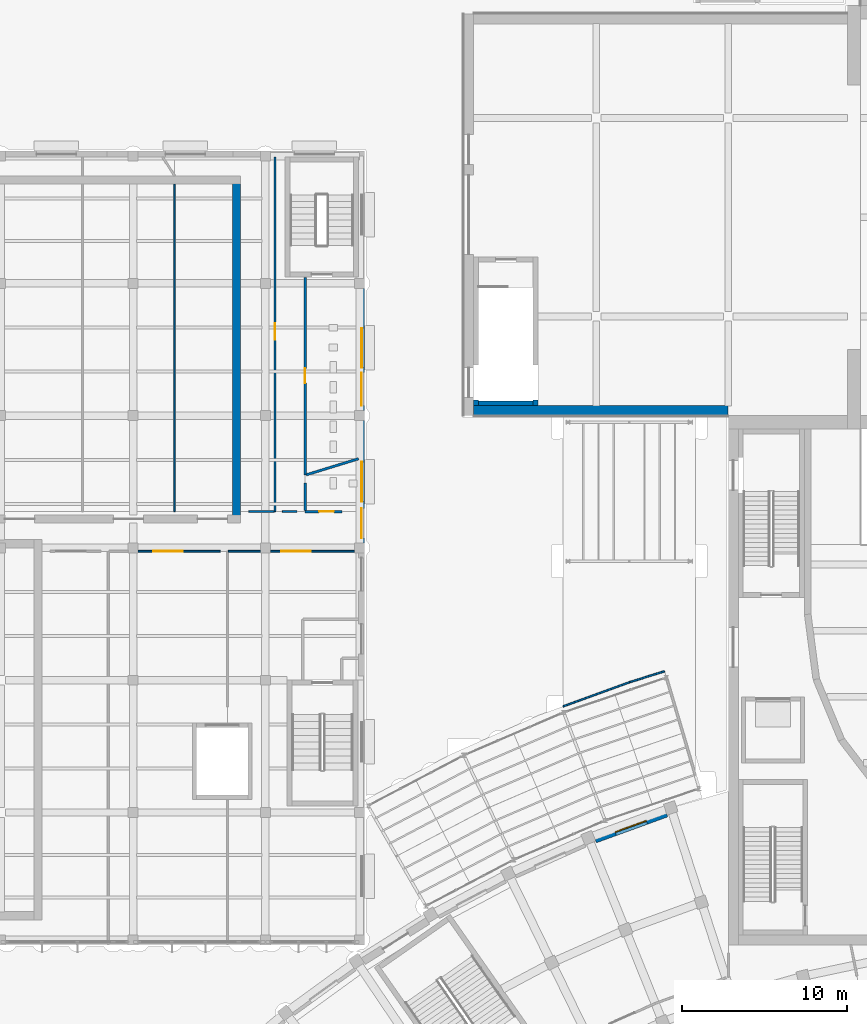
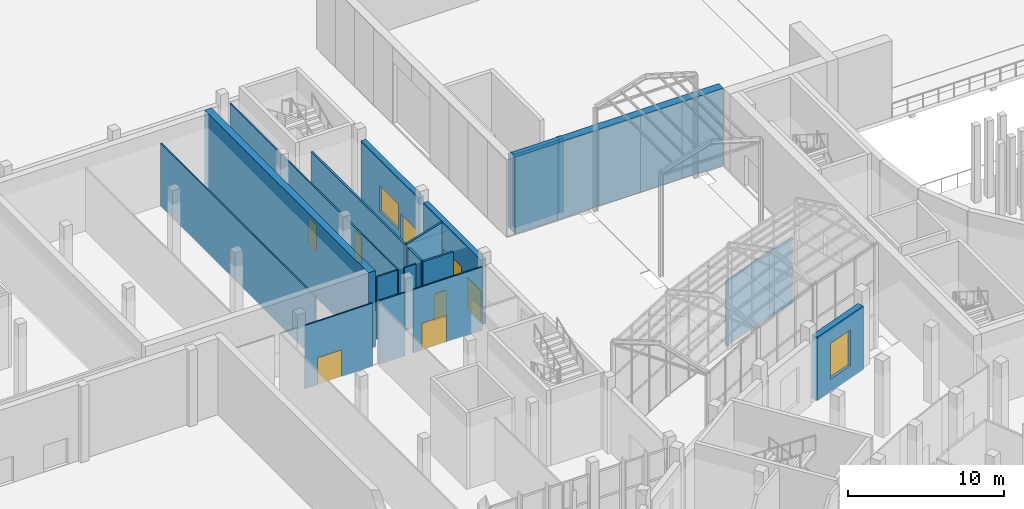
# One storey, part 95 of 155: 21 walls, 7 doors, 3 windows, 10 openings.
"""IFC4 building model written with IfcOpenShell, lengths in metres."""

import ifcopenshell
import ifcopenshell.guid

model = None  # the IFC model being written
_history = None  # IfcOwnerHistory: only IFC2X3 demands one
_inside = {}  # id of a spatial element -> (the spatial element, [elements in it])
_under = {}  # id of a project, library or spatial element -> (it, [spatial elements below it])
_declared = {}  # id of a project -> (the project, [libraries it declares])
_typed = {}  # id of a type object -> (the type object, [elements of that type])
_made_of = {}  # id of a material, layer set ... -> (it, [elements and type objects made of it])


def new_model(schema):
    """Start an empty IFC model of exactly this schema.

    Asked for "IFC4X3", IfcOpenShell would pick the latest addendum, in which some entities
    have other attributes; the version numbers below select the first issue.
    IFC2X3 requires an IfcOwnerHistory on every rooted entity: one is made here for all.
    """
    global model, _history
    if schema == "IFC4X3":
        model = ifcopenshell.file(schema_version=(4, 3, 0, 0))
    else:
        model = ifcopenshell.file(schema=schema)
    _inside.clear()
    _under.clear()
    _declared.clear()
    _typed.clear()
    _made_of.clear()
    _history = None
    if model.schema == "IFC2X3":
        org = make("IfcOrganization", Name="unknown")
        user = make(
            "IfcPersonAndOrganization",
            ThePerson=make("IfcPerson", FamilyName="unknown"),
            TheOrganization=org,
        )
        app = make(
            "IfcApplication",
            ApplicationDeveloper=org,
            Version="unknown",
            ApplicationFullName="unknown",
            ApplicationIdentifier="unknown",
        )
        _history = make(
            "IfcOwnerHistory",
            OwningUser=user,
            OwningApplication=app,
            ChangeAction="ADDED",
            CreationDate=0,
        )
    return model


def make(cls, **values):
    """One entity of the class cls with the attributes given. An attribute that is None is left unset."""
    return model.create_entity(
        cls, **{name: value for name, value in values.items() if value is not None}
    )


def rooted(cls, **values):
    """An entity with a GlobalId (a new one), such as an element, a storey or a relation."""
    return make(cls, GlobalId=ifcopenshell.guid.new(), OwnerHistory=_history, **values)


def si_unit(unit_type, name, prefix=None):
    """IfcSIUnit, for example si_unit("LENGTHUNIT", "METRE", prefix="MILLI")."""
    return make("IfcSIUnit", UnitType=unit_type, Prefix=prefix, Name=name)


def assignment(units):
    """IfcUnitAssignment: the units of a project."""
    return None if units is None else make("IfcUnitAssignment", Units=units)


def point(xyz):
    """IfcCartesianPoint."""
    return None if xyz is None else make("IfcCartesianPoint", Coordinates=xyz)


def direction(xyz):
    """IfcDirection."""
    return None if xyz is None else make("IfcDirection", DirectionRatios=xyz)


def frame(location, z_axis=None, x_axis=None):
    """IfcAxis2Placement3D, a coordinate frame: its origin and axes. An axis left out is left unset."""
    return make(
        "IfcAxis2Placement3D",
        Location=point(location),
        Axis=direction(z_axis),
        RefDirection=direction(x_axis),
    )


def frame_2d(location, x_axis=None):
    """IfcAxis2Placement2D, a coordinate frame in the plane: its origin and x axis."""
    return make(
        "IfcAxis2Placement2D", Location=point(location), RefDirection=direction(x_axis)
    )


def origin():
    """The frame at (0, 0, 0) with its axes left unset."""
    return frame((0.0, 0.0, 0.0))


def place(relative_to, where):
    """IfcLocalPlacement: puts the frame where relative to a parent placement (None: the world)."""
    return make(
        "IfcLocalPlacement", PlacementRelTo=relative_to, RelativePlacement=where
    )


def context(
    kind, dimensions, precision=None, world=None, true_north=None, identifier=None
):
    """IfcGeometricRepresentationContext, for example the 3D "Model" context."""
    return make(
        "IfcGeometricRepresentationContext",
        ContextIdentifier=identifier,
        ContextType=kind,
        CoordinateSpaceDimension=dimensions,
        Precision=precision,
        WorldCoordinateSystem=world,
        TrueNorth=true_north,
    )


def subcontext(parent, identifier, kind, view, scale=None):
    """IfcGeometricRepresentationSubContext, for example "Body" below "Model"."""
    return make(
        "IfcGeometricRepresentationSubContext",
        ContextIdentifier=identifier,
        ContextType=kind,
        ParentContext=parent,
        TargetScale=scale,
        TargetView=view,
    )


def project(units=None, contexts=None):
    """IfcProject with its units and contexts."""
    return rooted(
        "IfcProject",
        Name="project",
        RepresentationContexts=contexts,
        UnitsInContext=assignment(units),
    )


def spatial(cls, under=None, at=None, **own):
    """A site, building, storey or space (cls), placed at a placement, below another one or the project."""
    s = rooted(cls, ObjectPlacement=at, **own)
    if under is not None:
        _under.setdefault(under.id(), (under, []))[1].append(s)
    return s


def profile(cls, at=None, kind="AREA", **sizes):
    """A parametric profile (cls). Its sizes go by their IFC names, for example OverallWidth=200.0."""
    return make(cls, ProfileType=kind, Position=at, **sizes)


def rectangle(**sizes):
    """IfcRectangleProfileDef."""
    return profile("IfcRectangleProfileDef", **sizes)


def extrude(swept, where, along, depth):
    """IfcExtrudedAreaSolid: the profile swept, set in the frame where, extruded along a direction by depth."""
    return make(
        "IfcExtrudedAreaSolid",
        SweptArea=swept,
        Position=where,
        ExtrudedDirection=direction(along),
        Depth=depth,
    )


def shape(context_of_items, identifier, shape_type, items):
    """IfcShapeRepresentation: the items that make up one representation, for example the "Body"."""
    return make(
        "IfcShapeRepresentation",
        ContextOfItems=context_of_items,
        RepresentationIdentifier=identifier,
        RepresentationType=shape_type,
        Items=items,
    )


def material(Name=None, Category=None):
    """IfcMaterial."""
    return make("IfcMaterial", Name=Name, Category=Category)


def layer(
    of_material, thickness, ventilated=None, Name=None, Category=None, Priority=None
):
    """IfcMaterialLayer: one layer of a wall or slab, of a material (None: an air gap)."""
    return make(
        "IfcMaterialLayer",
        Material=of_material,
        LayerThickness=thickness,
        IsVentilated=ventilated,
        Name=Name,
        Category=Category,
        Priority=Priority,
    )


def layer_set(layers, Name=None):
    """IfcMaterialLayerSet."""
    return make("IfcMaterialLayerSet", MaterialLayers=layers, LayerSetName=Name)


def made_of(thing, what):
    """Note that an element or type object is made of a material, layer set ...; save() writes the relation."""
    if what is not None:
        _made_of.setdefault(what.id(), (what, []))[1].append(thing)
    return thing


def type_object(cls, material=None, **own):
    """A type object (cls), such as IfcWallType, which elements share."""
    return made_of(rooted(cls, **own), material)


def element(
    cls,
    number,
    at=None,
    inside=None,
    cuts=None,
    type_object=None,
    material=None,
    context=None,
    identifier="Body",
    shape_type=None,
    held_by="IfcProductDefinitionShape",
    body=None,
    shapes=None,
    **own,
):
    """One element of the class cls, such as IfcWall. Its Tag is "e" and its number.

    at: its placement. inside: the storey or other place that contains it. cuts: it is an
    opening in that element (IfcRelVoidsElement). A single representation is given by context,
    identifier, shape_type and body (its items); several are given by shapes. held_by: the class
    of the entity that holds the representations. save() writes the other relations.
    """
    e = rooted(cls, Tag="e%d" % number, ObjectPlacement=at, **own)
    if body is not None:
        shapes = [shape(context, identifier, shape_type, body)]
    if shapes is not None:
        e.Representation = make(held_by, Representations=shapes)
    if inside is not None:
        _inside.setdefault(inside.id(), (inside, []))[1].append(e)
    if cuts is not None:
        rooted(
            "IfcRelVoidsElement", RelatingBuildingElement=cuts, RelatedOpeningElement=e
        )
    if type_object is not None:
        _typed.setdefault(type_object.id(), (type_object, []))[1].append(e)
    return made_of(e, material)


def fill(opening, filler):
    """IfcRelFillsElement: the door or window that sits in an opening."""
    return rooted(
        "IfcRelFillsElement",
        RelatingOpeningElement=opening,
        RelatedBuildingElement=filler,
    )


def aggregate(whole, parts):
    """IfcRelAggregates: a whole, such as a stair, and the parts it consists of."""
    return rooted("IfcRelAggregates", RelatingObject=whole, RelatedObjects=parts)


def save(model, path):
    """Write the relations noted so far, then the file.

    IfcRelAggregates (storeys below a building ...), IfcRelContainedInSpatialStructure (elements
    in a storey), IfcRelDefinesByType, IfcRelAssociatesMaterial and IfcRelDeclares: one each for
    every whole, place, type object, material and project.
    """
    for whole, parts in _under.values():
        aggregate(whole, parts)
    for where, things in _inside.values():
        rooted(
            "IfcRelContainedInSpatialStructure",
            RelatedElements=things,
            RelatingStructure=where,
        )
    for kind, things in _typed.values():
        rooted("IfcRelDefinesByType", RelatedObjects=things, RelatingType=kind)
    for what, things in _made_of.values():
        rooted("IfcRelAssociatesMaterial", RelatedObjects=things, RelatingMaterial=what)
    for by, libraries in _declared.values():
        rooted("IfcRelDeclares", RelatingContext=by, RelatedDefinitions=libraries)
    model.write(path)


model = new_model("IFC4")

# Units and contexts
model_context = context("Model", 3, precision=1e-05, world=origin(), true_north=direction((0.0, 1.0)))
body_context = subcontext(model_context, "Body", "Model", "MODEL_VIEW")
ifc_project = project(units=[si_unit("LENGTHUNIT", "METRE"), si_unit("AREAUNIT", "SQUARE_METRE"), si_unit("VOLUMEUNIT", "CUBIC_METRE"), si_unit("PLANEANGLEUNIT", "RADIAN"), si_unit("MASSUNIT", "GRAM", prefix="KILO")], contexts=[model_context])

# Site, building, storey
site_placement = place(None, origin())
site = spatial("IfcSite", under=ifc_project, at=site_placement, CompositionType="ELEMENT")
building_placement = place(site_placement, origin())
building = spatial("IfcBuilding", under=site, at=building_placement, Name="Lunette Opera House", CompositionType="ELEMENT")
storey_placement = place(building_placement, origin())
storey = spatial("IfcBuildingStorey", under=building, at=storey_placement, Name="L00", CompositionType="ELEMENT", Elevation=0.0)

# Wall, opening, window
ifc_material_1 = material(Name="Clinker brick", Category="masonry")
ifc_layer_1 = layer(ifc_material_1, 0.449951171875)
ifc_layer_set_1 = layer_set([ifc_layer_1], Name="Clinker brick")
wall_type_1 = type_object("IfcWallType", Name="ARM RAIN SCREEN WALL 450", PredefinedType="SOLIDWALL", material=ifc_layer_set_1)
wall_1_placement = place(storey_placement, frame((67.943115234375, 70.376953125, 0.0), z_axis=(0.0, 0.0, 1.0), x_axis=(0.939711059344, 0.341969479554, 0.0)))
wall_1 = element("IfcWall", 1, at=wall_1_placement, inside=storey, type_object=wall_type_1, Name="Arm Rain Screen Wall 450 BW-CW08 L00", PredefinedType="SOLIDWALL", context=body_context, shape_type="SweptSolid", body=[
    extrude(rectangle(XDim=4.58837890625, YDim=0.449951171875, at=frame_2d((2.294189453125, 0.0))), origin(), (0.0, 0.0, 1.0), 4.97998046875),
])
opening_1_placement = place(wall_1_placement, frame((1.2939453125, 0.0, 1.0)))
opening_1 = element("IfcOpeningElement", 2, at=opening_1_placement, cuts=wall_1, Name="Opening FC-N2139", PredefinedType="OPENING", context=body_context, shape_type="SweptSolid", body=[
    extrude(rectangle(XDim=2.0, YDim=2.800048828125, at=frame_2d((1.0, 1.39990234375))), frame((0.0, 0.237060546875, 0.0), z_axis=(0.0, -1.0, 0.0), x_axis=(1.0, 0.0, 0.0)), (0.0, 0.0, 1.0), 0.473876953125),
])
ifc_material_2 = material(Name="Aluminium", Category="aluminium")
window_type_1 = type_object("IfcWindowType", Name="ARM WINDOW 2000 X 2800", PartitioningType="DOUBLE_PANEL_VERTICAL", PredefinedType="WINDOW", material=ifc_material_2)
window_1_placement = place(opening_1_placement, origin())
window_1 = element("IfcWindow", 3, at=window_1_placement, inside=storey, type_object=window_type_1, Name="Arm Window 2000 X 2800 BW-CW08 L00", OverallHeight=2.800048828125, OverallWidth=2.0, PartitioningType="DOUBLE_PANEL_VERTICAL", PredefinedType="WINDOW", context=body_context, shape_type="SweptSolid", body=[
    extrude(rectangle(XDim=2.0, YDim=2.800048828125, at=frame_2d((1.0, 1.39990234375))), frame((0.0, 0.030029296875, 0.0), z_axis=(0.0, -1.0, 0.0), x_axis=(1.0, 0.0, 0.0)), (0.0, 0.0, 1.0), 0.06005859375),
])
fill(opening_1, window_1)

# Wall, opening, door
ifc_material_3 = material(Name="Plastered clay blockwork", Category="masonry")
ifc_layer_2 = layer(ifc_material_3, 0.14990234375)
ifc_layer_set_2 = layer_set([ifc_layer_2], Name="Plastered clay blockwork")
wall_type_2 = type_object("IfcWallType", Name="BLOCK PARTITION 150", PredefinedType="PARTITIONING", material=ifc_layer_set_2)
wall_2_placement = place(storey_placement, frame((50.39892578125, 92.422119140625, 0.0), z_axis=(0.0, 0.0, 1.0), x_axis=(0.0, 1.0, 0.0)))
wall_2 = element("IfcWall", 4, at=wall_2_placement, inside=storey, type_object=wall_type_2, Name="Partition Stage Door Lodge", PredefinedType="PARTITIONING", context=body_context, shape_type="SweptSolid", body=[
    extrude(rectangle(XDim=11.927978515625, YDim=0.14990234375, at=frame_2d((5.9638671875, 0.0))), origin(), (0.0, 0.0, 1.0), 4.949951171875),
])
opening_2_placement = place(wall_2_placement, frame((5.5390625, 0.0, 0.0)))
opening_2 = element("IfcOpeningElement", 5, at=opening_2_placement, cuts=wall_2, Name="Opening RW-D3018", PredefinedType="OPENING", context=body_context, shape_type="SweptSolid", body=[
    extrude(rectangle(XDim=0.89990234375, YDim=2.10009765625, at=frame_2d((0.449951171875, 1.050048828125))), frame((0.0, 0.0869140625, 0.0), z_axis=(0.0, -1.0, 0.0), x_axis=(1.0, 0.0, 0.0)), (0.0, 0.0, 1.0), 0.173828125),
])
ifc_material_4 = material(Name="Timber", Category="wood")
door_type_1 = type_object("IfcDoorType", Name="FLUSH DOOR 900 X 2100", OperationType="SINGLE_SWING_LEFT", PredefinedType="DOOR", material=ifc_material_4)
door_1_placement = place(opening_2_placement, origin())
door_1 = element("IfcDoor", 6, at=door_1_placement, inside=storey, type_object=door_type_1, Name="Rehearsal Wing WC door", OperationType="SINGLE_SWING_RIGHT", OverallHeight=2.10009765625, OverallWidth=0.89990234375, PredefinedType="DOOR", context=body_context, shape_type="SweptSolid", body=[
    extrude(rectangle(XDim=0.89990234375, YDim=2.10009765625, at=frame_2d((0.449951171875, 1.050048828125))), frame((0.0, 0.02490234375, 0.0), z_axis=(0.0, -1.0, 0.0), x_axis=(1.0, 0.0, 0.0)), (0.0, 0.0, 1.0), 0.050048828125),
])
fill(opening_2, door_1)

wall_3_placement = place(storey_placement, frame((50.39892578125, 90.199951171875, 0.0), z_axis=(0.0, 0.0, 1.0), x_axis=(1.0, 0.0, 0.0)))
wall_3 = element("IfcWall", 7, at=wall_3_placement, inside=storey, type_object=wall_type_2, Name="Partition Accessible WC Rehearsal", PredefinedType="PARTITIONING", context=body_context, shape_type="SweptSolid", body=[
    extrude(rectangle(XDim=2.236083984375, YDim=0.14990234375, at=frame_2d((1.1181640625, 0.0))), origin(), (0.0, 0.0, 1.0), 4.949951171875),
])
opening_3_placement = place(wall_3_placement, frame((0.85009765625, 0.0, 0.0)))
opening_3 = element("IfcOpeningElement", 8, at=opening_3_placement, cuts=wall_3, Name="Opening RW-D3019", PredefinedType="OPENING", context=body_context, shape_type="SweptSolid", body=[
    extrude(rectangle(XDim=0.89990234375, YDim=2.10009765625, at=frame_2d((0.449951171875, 1.050048828125))), frame((0.0, 0.0869140625, 0.0), z_axis=(0.0, -1.0, 0.0), x_axis=(1.0, 0.0, 0.0)), (0.0, 0.0, 1.0), 0.173828125),
])
door_2_placement = place(opening_3_placement, origin())
door_2 = element("IfcDoor", 9, at=door_2_placement, inside=storey, type_object=door_type_1, Name="Accessible WC Rehearsal door", OperationType="SINGLE_SWING_RIGHT", OverallHeight=2.10009765625, OverallWidth=0.89990234375, PredefinedType="DOOR", context=body_context, shape_type="SweptSolid", body=[
    extrude(rectangle(XDim=0.89990234375, YDim=2.10009765625, at=frame_2d((0.449951171875, 1.050048828125))), frame((0.0, 0.02490234375, 0.0), z_axis=(0.0, -1.0, 0.0), x_axis=(1.0, 0.0, 0.0)), (0.0, 0.0, 1.0), 0.050048828125),
])
fill(opening_3, door_2)

# Walls
wall_4_placement = place(storey_placement, frame((50.47509765625, 92.422119140625, 0.0), z_axis=(0.0, 0.0, 1.0), x_axis=(0.955726306708, 0.294257075812, 0.0)))
element("IfcWall", 10, at=wall_4_placement, inside=storey, type_object=wall_type_2, Name="Partition Rehearsal Wing WC", PredefinedType="PARTITIONING", context=body_context, shape_type="SweptSolid", body=[
    extrude(rectangle(XDim=3.306396484375, YDim=0.14990234375, at=frame_2d((1.6533203125, 0.0))), origin(), (0.0, 0.0, 1.0), 4.949951171875),
])
wall_5_placement = place(storey_placement, frame((50.39892578125, 90.27587890625, 0.0), z_axis=(0.0, 0.0, 1.0), x_axis=(0.0, 1.0, 0.0)))
element("IfcWall", 11, at=wall_5_placement, inside=storey, type_object=wall_type_2, Name="Partition Stage Door Lodge", PredefinedType="PARTITIONING", context=body_context, shape_type="SweptSolid", body=[
    extrude(rectangle(XDim=1.646240234375, YDim=0.14990234375, at=frame_2d((0.8232421875, 0.0))), origin(), (0.0, 0.0, 1.0), 4.949951171875),
])
ifc_material_5 = material(Name="Concrete C35/45", Category="concrete")
ifc_layer_3 = layer(ifc_material_5, 0.300048828125)
ifc_layer_set_3 = layer_set([ifc_layer_3], Name="Concrete C35/45")
wall_type_3 = type_object("IfcWallType", Name="RC STAIR ENCLOSURE WALL 300", PredefinedType="SOLIDWALL", material=ifc_layer_set_3)
wall_6_placement = place(storey_placement, frame((60.89990234375, 96.75, 0.0), z_axis=(0.0, 0.0, 1.0), x_axis=(1.0, 0.0, 0.0)))
element("IfcWall", 12, at=wall_6_placement, inside=storey, type_object=wall_type_3, Name="ST13 enclosure wall 4", PredefinedType="SOLIDWALL", context=body_context, shape_type="SweptSolid", body=[
    extrude(rectangle(XDim=3.300048828125, YDim=0.300048828125, at=frame_2d((1.64990234375, 0.0))), origin(), (0.0, 0.0, 1.0), 5.75),
])
for number, where, z_axis, x_axis, name in (
    (13, (64.35009765625, 96.60009765625, 0.0), (0.0, 0.0, 1.0), (0.0, 1.0, 0.0), "ST13 enclosure wall 1 a"),
    (14, (60.75, 96.949951171875, 0.0), (0.0, 0.0, 1.0), (0.0, -1.0, 0.0), "ST13 enclosure wall 3 b"),
):
    element("IfcWall", number, at=place(storey_placement, frame(where, z_axis=z_axis, x_axis=x_axis)), inside=storey, type_object=wall_type_3, Name=name, PredefinedType="SOLIDWALL", context=body_context, shape_type="SweptSolid", body=[
        extrude(rectangle(XDim=0.349853515625, YDim=0.300048828125, at=frame_2d((0.1748046875, 0.0))), origin(), (0.0, 0.0, 1.0), 5.75),
    ])
ifc_material_6 = material(Name="Concrete C35/45", Category="concrete")
ifc_layer_4 = layer(ifc_material_6, 0.5)
ifc_layer_set_4 = layer_set([ifc_layer_4], Name="Concrete C35/45")
wall_type_4 = type_object("IfcWallType", Name="RC WALL 500", PredefinedType="SHEAR", material=ifc_layer_set_4)
wall_7_placement = place(storey_placement, frame((46.25, 89.5, 0.0), z_axis=(0.0, 0.0, 1.0), x_axis=(0.0, 1.0, 0.0)))
element("IfcWall", 15, at=wall_7_placement, inside=storey, type_object=wall_type_4, Name="wall-RW-L00-OH-E-1", PredefinedType="SHEAR", context=body_context, shape_type="SweptSolid", body=[
    extrude(rectangle(XDim=21.0, YDim=0.5, at=frame_2d((10.5, 0.0))), origin(), (0.0, 0.0, 1.0), 6.0),
])
ifc_material_7 = material(Name="Concrete C35/45", Category="concrete")
ifc_layer_5 = layer(ifc_material_7, 0.60009765625)
ifc_layer_set_5 = layer_set([ifc_layer_5], Name="Concrete C35/45")
wall_type_5 = type_object("IfcWallType", Name="RC WALL 600", PredefinedType="SHEAR", material=ifc_layer_set_5)
wall_8_placement = place(storey_placement, frame((60.60009765625, 96.300048828125, 0.0), z_axis=(0.0, 0.0, 1.0), x_axis=(1.0, 0.0, 0.0)))
element("IfcWall", 16, at=wall_8_placement, inside=storey, type_object=wall_type_5, Name="wall-ST-L00-SW-S-1", PredefinedType="SHEAR", context=body_context, shape_type="SweptSolid", body=[
    extrude(rectangle(XDim=15.389892578125, YDim=0.60009765625, at=frame_2d((7.69482421875, 0.0))), origin(), (0.0, 0.0, 1.0), 6.0),
])

# Wall, openings, door, window
ifc_material_8 = material(Name="Clinker brick", Category="masonry")
ifc_layer_6 = layer(ifc_material_8, 0.364990234375)
ifc_layer_set_6 = layer_set([ifc_layer_6], Name="Clinker brick")
wall_type_6 = type_object("IfcWallType", Name="REHEARSAL BRICK WALL 365", PredefinedType="SOLIDWALL", material=ifc_layer_set_6)
wall_9_placement = place(storey_placement, frame((53.818115234375, 88.300048828125, 0.0), z_axis=(0.0, 0.0, 1.0), x_axis=(0.0, 1.0, 0.0)))
wall_9 = element("IfcWall", 17, at=wall_9_placement, inside=storey, type_object=wall_type_6, Name="Rehearsal Brick Wall 365 F22 L00", PredefinedType="SOLIDWALL", context=body_context, shape_type="SweptSolid", body=[
    extrude(rectangle(XDim=7.39990234375, YDim=0.364990234375, at=frame_2d((3.699951171875, 0.0))), origin(), (0.0, 0.0, 1.0), 5.050048828125),
])
opening_4_placement = place(wall_9_placement, frame((2.5, 0.0, 1.0)))
opening_4 = element("IfcOpeningElement", 18, at=opening_4_placement, cuts=wall_9, Name="Opening RW-N2010", PredefinedType="OPENING", context=body_context, shape_type="SweptSolid", body=[
    extrude(rectangle(XDim=2.39990234375, YDim=2.0, at=frame_2d((1.199951171875, 1.0))), frame((0.0, 0.194580078125, 0.0), z_axis=(0.0, -1.0, 0.0), x_axis=(1.0, 0.0, 0.0)), (0.0, 0.0, 1.0), 0.388916015625),
])
opening_5_placement = place(wall_9_placement, frame((0.300048828125, 0.0, 0.0)))
opening_5 = element("IfcOpeningElement", 19, at=opening_5_placement, cuts=wall_9, Name="Opening RW-D2003", PredefinedType="OPENING", context=body_context, shape_type="SweptSolid", body=[
    extrude(rectangle(XDim=1.800048828125, YDim=2.39990234375, at=frame_2d((0.89990234375, 1.199951171875))), frame((0.0, 0.194580078125, 0.0), z_axis=(0.0, -1.0, 0.0), x_axis=(1.0, 0.0, 0.0)), (0.0, 0.0, 1.0), 0.388916015625),
])
ifc_material_9 = material(Name="Powder-coated steel", Category="steel")
door_type_2 = type_object("IfcDoorType", Name="EXIT DOUBLE DOOR 1800 X 2400", OperationType="DOUBLE_DOOR_DOUBLE_SWING", PredefinedType="DOOR", material=ifc_material_9)
door_3_placement = place(opening_5_placement, origin())
door_3 = element("IfcDoor", 20, at=door_3_placement, inside=storey, type_object=door_type_2, Name="Exit Double Door 1800 X 2400 RWEX1 L00", OperationType="DOUBLE_DOOR_DOUBLE_SWING", OverallHeight=2.39990234375, OverallWidth=1.800048828125, PredefinedType="DOOR", context=body_context, shape_type="SweptSolid", body=[
    extrude(rectangle(XDim=1.800048828125, YDim=2.39990234375, at=frame_2d((0.89990234375, 1.199951171875))), frame((0.0, 0.02490234375, 0.0), z_axis=(0.0, -1.0, 0.0), x_axis=(1.0, 0.0, 0.0)), (0.0, 0.0, 1.0), 0.050048828125),
])
fill(opening_5, door_3)
ifc_material_10 = material(Name="Aluminium", Category="aluminium")
window_type_2 = type_object("IfcWindowType", Name="REHEARSAL WINDOW 2400 X 2000", PartitioningType="DOUBLE_PANEL_VERTICAL", PredefinedType="WINDOW", material=ifc_material_10)
window_2_placement = place(opening_4_placement, origin())
window_2 = element("IfcWindow", 21, at=window_2_placement, inside=storey, type_object=window_type_2, Name="Rehearsal Window 2400 X 2000 F22 L00", OverallHeight=2.0, OverallWidth=2.39990234375, PartitioningType="DOUBLE_PANEL_VERTICAL", PredefinedType="WINDOW", context=body_context, shape_type="SweptSolid", body=[
    extrude(rectangle(XDim=2.39990234375, YDim=2.0, at=frame_2d((1.199951171875, 1.0))), frame((0.0, 0.030029296875, 0.0), z_axis=(0.0, -1.0, 0.0), x_axis=(1.0, 0.0, 0.0)), (0.0, 0.0, 1.0), 0.06005859375),
])
fill(opening_4, window_2)

wall_10_placement = place(storey_placement, frame((53.818115234375, 96.300048828125, 0.0), z_axis=(0.0, 0.0, 1.0), x_axis=(0.0, 1.0, 0.0)))
wall_10 = element("IfcWall", 22, at=wall_10_placement, inside=storey, type_object=wall_type_6, Name="Rehearsal Brick Wall 365 F23 L00", PredefinedType="SOLIDWALL", context=body_context, shape_type="SweptSolid", body=[
    extrude(rectangle(XDim=7.39990234375, YDim=0.364990234375, at=frame_2d((3.699951171875, 0.0))), origin(), (0.0, 0.0, 1.0), 5.050048828125),
])
opening_6_placement = place(wall_10_placement, frame((2.60009765625, 0.0, 1.0)))
opening_6 = element("IfcOpeningElement", 23, at=opening_6_placement, cuts=wall_10, Name="Opening RW-N2011", PredefinedType="OPENING", context=body_context, shape_type="SweptSolid", body=[
    extrude(rectangle(XDim=2.39990234375, YDim=2.0, at=frame_2d((1.199951171875, 1.0))), frame((0.0, 0.194580078125, 0.0), z_axis=(0.0, -1.0, 0.0), x_axis=(1.0, 0.0, 0.0)), (0.0, 0.0, 1.0), 0.388916015625),
])
opening_7_placement = place(wall_10_placement, frame((0.300048828125, 0.0, 0.0)))
opening_7 = element("IfcOpeningElement", 24, at=opening_7_placement, cuts=wall_10, Name="Opening RW-D2002", PredefinedType="OPENING", context=body_context, shape_type="SweptSolid", body=[
    extrude(rectangle(XDim=2.0, YDim=2.39990234375, at=frame_2d((1.0, 1.199951171875))), frame((0.0, 0.194580078125, 0.0), z_axis=(0.0, -1.0, 0.0), x_axis=(1.0, 0.0, 0.0)), (0.0, 0.0, 1.0), 0.388916015625),
])
ifc_material_11 = material(Name="Aluminium", Category="aluminium")
door_type_3 = type_object("IfcDoorType", Name="ENTRANCE DOUBLE DOOR 2000 X 2400", OperationType="DOUBLE_DOOR_DOUBLE_SWING", PredefinedType="DOOR", material=ifc_material_11)
door_4_placement = place(opening_7_placement, origin())
door_4 = element("IfcDoor", 25, at=door_4_placement, inside=storey, type_object=door_type_3, Name="Entrance Double Door 2000 X 2400 RWEN2 L00", OperationType="DOUBLE_DOOR_DOUBLE_SWING", OverallHeight=2.39990234375, OverallWidth=2.0, PredefinedType="DOOR", context=body_context, shape_type="SweptSolid", body=[
    extrude(rectangle(XDim=2.0, YDim=2.39990234375, at=frame_2d((1.0, 1.199951171875))), frame((0.0, 0.02490234375, 0.0), z_axis=(0.0, -1.0, 0.0), x_axis=(1.0, 0.0, 0.0)), (0.0, 0.0, 1.0), 0.050048828125),
])
fill(opening_7, door_4)
window_3_placement = place(opening_6_placement, origin())
window_3 = element("IfcWindow", 26, at=window_3_placement, inside=storey, type_object=window_type_2, Name="Rehearsal Window 2400 X 2000 F23 L00", OverallHeight=2.0, OverallWidth=2.39990234375, PartitioningType="DOUBLE_PANEL_VERTICAL", PredefinedType="WINDOW", context=body_context, shape_type="SweptSolid", body=[
    extrude(rectangle(XDim=2.39990234375, YDim=2.0, at=frame_2d((1.199951171875, 1.0))), frame((0.0, 0.030029296875, 0.0), z_axis=(0.0, -1.0, 0.0), x_axis=(1.0, 0.0, 0.0)), (0.0, 0.0, 1.0), 0.06005859375),
])
fill(opening_6, window_3)

# Wall
ifc_material_12 = material(Name="Gypsum board on steel studs", Category="steel")
ifc_layer_7 = layer(ifc_material_12, 0.10009765625)
ifc_layer_set_7 = layer_set([ifc_layer_7], Name="Gypsum board on steel studs")
wall_type_7 = type_object("IfcWallType", Name="STUD PARTITION 100", PredefinedType="PARTITIONING", material=ifc_layer_set_7)
wall_11_placement = place(storey_placement, frame((42.512939453125, 109.9990234375, 0.0), z_axis=(0.0, 0.0, 1.0), x_axis=(0.0, -1.0, 0.0)))
element("IfcWall", 27, at=wall_11_placement, inside=storey, type_object=wall_type_7, Name="Partition Chorus Dressing Rooms", PredefinedType="PARTITIONING", context=body_context, shape_type="SweptSolid", body=[
    extrude(rectangle(XDim=19.799072265625, YDim=0.10009765625, at=frame_2d((9.8994140625, 0.0))), origin(), (0.0, 0.0, 1.0), 4.949951171875),
])

# Wall, opening, door
wall_12_placement = place(storey_placement, frame((48.583984375, 111.634033203125, 0.0), z_axis=(0.0, 0.0, 1.0), x_axis=(0.0, -1.0, 0.0)))
wall_12 = element("IfcWall", 28, at=wall_12_placement, inside=storey, type_object=wall_type_7, Name="Partition Stage Door Lodge", PredefinedType="PARTITIONING", context=body_context, shape_type="SweptSolid", body=[
    extrude(rectangle(XDim=21.43408203125, YDim=0.10009765625, at=frame_2d((10.717041015625, 0.0))), origin(), (0.0, 0.0, 1.0), 4.949951171875),
])
opening_8_placement = place(wall_12_placement, frame((10.033935546875, 0.0, 0.0)))
opening_8 = element("IfcOpeningElement", 29, at=opening_8_placement, cuts=wall_12, Name="Opening RW-D3017", PredefinedType="OPENING", context=body_context, shape_type="SweptSolid", body=[
    extrude(rectangle(XDim=1.0, YDim=2.10009765625, at=frame_2d((0.5, 1.050048828125))), frame((0.0, 0.06201171875, 0.0), z_axis=(0.0, -1.0, 0.0), x_axis=(1.0, 0.0, 0.0)), (0.0, 0.0, 1.0), 0.1240234375),
])
ifc_material_13 = material(Name="Timber", Category="wood")
door_type_4 = type_object("IfcDoorType", Name="FLUSH DOOR 1000 X 2100", OperationType="SINGLE_SWING_LEFT", PredefinedType="DOOR", material=ifc_material_13)
door_5_placement = place(opening_8_placement, origin())
door_5 = element("IfcDoor", 30, at=door_5_placement, inside=storey, type_object=door_type_4, Name="Stage Door Lodge door", OperationType="SINGLE_SWING_LEFT", OverallHeight=2.10009765625, OverallWidth=1.0, PredefinedType="DOOR", context=body_context, shape_type="SweptSolid", body=[
    extrude(rectangle(XDim=1.0, YDim=2.10009765625, at=frame_2d((0.5, 1.050048828125))), frame((0.0, 0.02490234375, 0.0), z_axis=(0.0, -1.0, 0.0), x_axis=(1.0, 0.0, 0.0)), (0.0, 0.0, 1.0), 0.050048828125),
])
fill(opening_8, door_5)

# Wall
wall_13_placement = place(storey_placement, frame((45.77001953125, 87.800048828125, 0.0), z_axis=(0.0, 0.0, 1.0), x_axis=(1.0, 0.0, 0.0)))
element("IfcWall", 31, at=wall_13_placement, inside=storey, type_object=wall_type_7, Name="Partition Corridor L00 Rehearsal", PredefinedType="PARTITIONING", context=body_context, shape_type="SweptSolid", body=[
    extrude(rectangle(XDim=1.929931640625, YDim=0.10009765625, at=frame_2d((0.96484375, 0.0))), origin(), (0.0, 0.0, 1.0), 4.949951171875),
])

# Wall, opening, door
wall_14_placement = place(storey_placement, frame((48.300048828125, 87.800048828125, 0.0), z_axis=(0.0, 0.0, 1.0), x_axis=(1.0, 0.0, 0.0)))
wall_14 = element("IfcWall", 32, at=wall_14_placement, inside=storey, type_object=wall_type_7, Name="Partition Corridor L00 Rehearsal", PredefinedType="PARTITIONING", context=body_context, shape_type="SweptSolid", body=[
    extrude(rectangle(XDim=5.099853515625, YDim=0.10009765625, at=frame_2d((2.5498046875, 0.0))), origin(), (0.0, 0.0, 1.0), 4.949951171875),
])
opening_9_placement = place(wall_14_placement, frame((0.658935546875, 0.0, 0.0)))
opening_9 = element("IfcOpeningElement", 33, at=opening_9_placement, cuts=wall_14, Name="Opening RW-D3016", PredefinedType="OPENING", context=body_context, shape_type="SweptSolid", body=[
    extrude(rectangle(XDim=1.800048828125, YDim=2.10009765625, at=frame_2d((0.89990234375, 1.050048828125))), frame((0.0, 0.06201171875, 0.0), z_axis=(0.0, -1.0, 0.0), x_axis=(1.0, 0.0, 0.0)), (0.0, 0.0, 1.0), 0.1240234375),
])
ifc_material_14 = material(Name="Timber", Category="wood")
door_type_5 = type_object("IfcDoorType", Name="DOUBLE FLUSH DOOR 1800 X 2100", OperationType="DOUBLE_DOOR_SINGLE_SWING", PredefinedType="DOOR", material=ifc_material_14)
door_6_placement = place(opening_9_placement, origin())
door_6 = element("IfcDoor", 34, at=door_6_placement, inside=storey, type_object=door_type_5, Name="Artists' Canteen door", OperationType="DOUBLE_DOOR_SINGLE_SWING", OverallHeight=2.10009765625, OverallWidth=1.800048828125, PredefinedType="DOOR", context=body_context, shape_type="SweptSolid", body=[
    extrude(rectangle(XDim=1.800048828125, YDim=2.10009765625, at=frame_2d((0.89990234375, 1.050048828125))), frame((0.0, 0.02490234375, 0.0), z_axis=(0.0, -1.0, 0.0), x_axis=(1.0, 0.0, 0.0)), (0.0, 0.0, 1.0), 0.050048828125),
])
fill(opening_9, door_6)

wall_15_placement = place(storey_placement, frame((40.300048828125, 87.800048828125, 0.0), z_axis=(0.0, 0.0, 1.0), x_axis=(1.0, 0.0, 0.0)))
wall_15 = element("IfcWall", 35, at=wall_15_placement, inside=storey, type_object=wall_type_7, Name="Partition Corridor L00 Rehearsal", PredefinedType="PARTITIONING", context=body_context, shape_type="SweptSolid", body=[
    extrude(rectangle(XDim=4.969970703125, YDim=0.10009765625, at=frame_2d((2.48486328125, 0.0))), origin(), (0.0, 0.0, 1.0), 4.949951171875),
])
opening_10_placement = place(wall_15_placement, frame((0.908935546875, 0.0, 0.0)))
opening_10 = element("IfcOpeningElement", 36, at=opening_10_placement, cuts=wall_15, Name="Opening RW-D3014", PredefinedType="OPENING", context=body_context, shape_type="SweptSolid", body=[
    extrude(rectangle(XDim=1.800048828125, YDim=2.10009765625, at=frame_2d((0.89990234375, 1.050048828125))), frame((0.0, 0.06201171875, 0.0), z_axis=(0.0, -1.0, 0.0), x_axis=(1.0, 0.0, 0.0)), (0.0, 0.0, 1.0), 0.1240234375),
])
door_7_placement = place(opening_10_placement, origin())
door_7 = element("IfcDoor", 37, at=door_7_placement, inside=storey, type_object=door_type_5, Name="Principals' Dressing Rooms door", OperationType="DOUBLE_DOOR_SINGLE_SWING", OverallHeight=2.10009765625, OverallWidth=1.800048828125, PredefinedType="DOOR", context=body_context, shape_type="SweptSolid", body=[
    extrude(rectangle(XDim=1.800048828125, YDim=2.10009765625, at=frame_2d((0.89990234375, 1.050048828125))), frame((0.0, 0.02490234375, 0.0), z_axis=(0.0, -1.0, 0.0), x_axis=(1.0, 0.0, 0.0)), (0.0, 0.0, 1.0), 0.050048828125),
])
fill(opening_10, door_7)

# Walls
wall_16_placement = place(storey_placement, frame((48.533935546875, 90.199951171875, 0.0), z_axis=(0.0, 0.0, 1.0), x_axis=(-1.0, 0.0, 0.0)))
element("IfcWall", 38, at=wall_16_placement, inside=storey, type_object=wall_type_7, Name="Partition Corridor L00 Rehearsal", PredefinedType="PARTITIONING", context=body_context, shape_type="SweptSolid", body=[
    extrude(rectangle(XDim=1.533935546875, YDim=0.10009765625, at=frame_2d((0.76708984375, 0.0))), origin(), (0.0, 0.0, 1.0), 4.949951171875),
])
wall_17_placement = place(storey_placement, frame((70.04296875, 79.888916015625, 0.0), z_axis=(0.0, 0.0, 1.0), x_axis=(-0.939662473126, -0.342102961985, 0.0)))
element("IfcWall", 39, at=wall_17_placement, inside=storey, type_object=wall_type_7, Name="Partition Public Passage West", PredefinedType="PARTITIONING", context=body_context, shape_type="SweptSolid", body=[
    extrude(rectangle(XDim=4.302490234375, YDim=0.10009765625, at=frame_2d((2.1513671875, 0.0))), origin(), (0.0, 0.0, 1.0), 5.10009765625),
])
wall_18_placement = place(storey_placement, frame((72.14306640625, 80.541015625, 0.0), z_axis=(0.0, 0.0, 1.0), x_axis=(-0.955019692804, -0.296542385431, 0.0)))
element("IfcWall", 40, at=wall_18_placement, inside=storey, type_object=wall_type_7, Name="Partition Public Passage West", PredefinedType="PARTITIONING", context=body_context, shape_type="SweptSolid", body=[
    extrude(rectangle(XDim=2.198974609375, YDim=0.10009765625, at=frame_2d((1.099609375, 0.0))), origin(), (0.0, 0.0, 1.0), 5.10009765625),
])
wall_19_placement = place(storey_placement, frame((49.033935546875, 90.199951171875, 0.0), z_axis=(0.0, 0.0, 1.0), x_axis=(1.0, 0.0, 0.0)))
element("IfcWall", 41, at=wall_19_placement, inside=storey, type_object=wall_type_7, Name="Partition Stage Door Lodge", PredefinedType="PARTITIONING", context=body_context, shape_type="SweptSolid", body=[
    extrude(rectangle(XDim=0.864990234375, YDim=0.10009765625, at=frame_2d((0.4326171875, 0.0))), origin(), (0.0, 0.0, 1.0), 4.949951171875),
])

save(model, "model.ifc")
